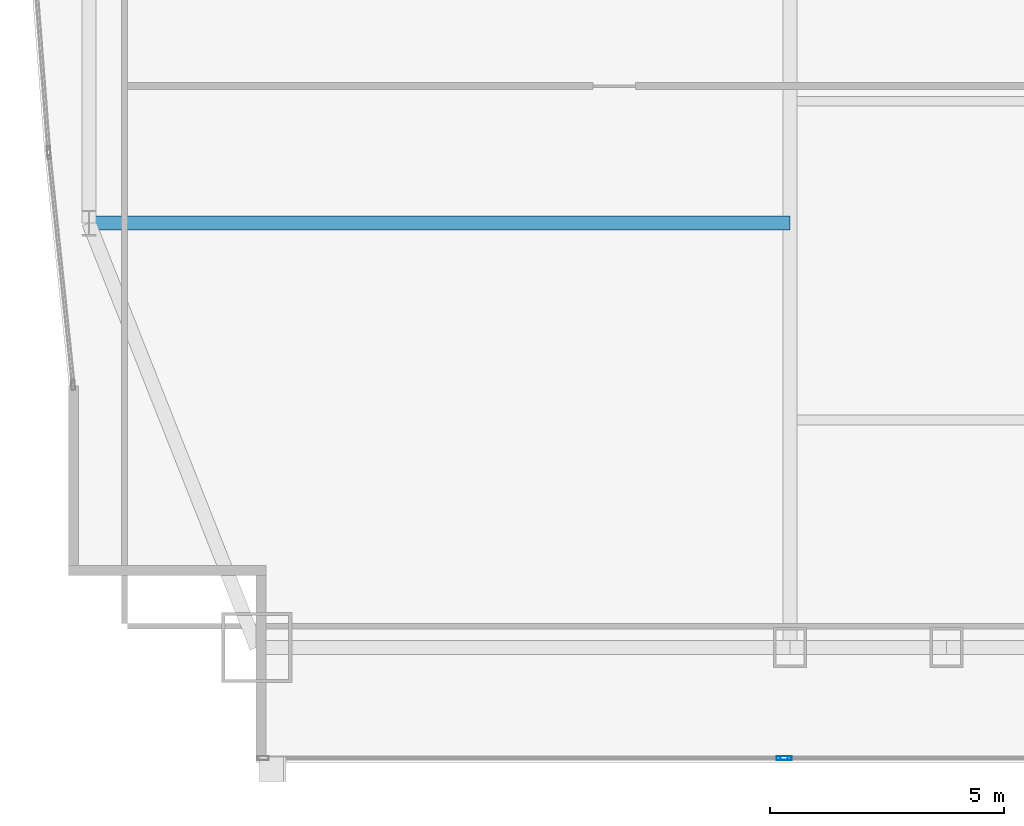
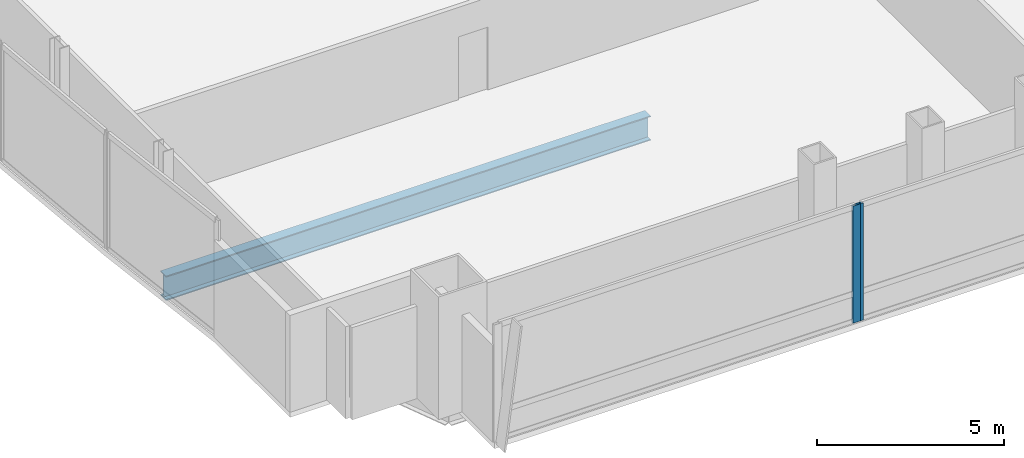
# One storey, part 7 of 30: 2 members, 1 beam, 2 elements without a shape of their own.
"""IFC4 building model written with IfcOpenShell, lengths in metres."""

from ifc_helpers import new_model, si_unit, direction, frame, origin, origin_2d, place, context, subcontext, project, spatial, hollow_rectangle, i_section, extrude, material, material_profile, profile_set, type_object, element, aggregate, save


model = new_model("IFC4")

# Units and contexts
model_context = context("Model", 3, precision=1e-05, world=origin(), true_north=direction((0.0, 1.0)))
body_context = subcontext(model_context, "Body", "Model", "MODEL_VIEW")
ifc_project = project(units=[si_unit("LENGTHUNIT", "METRE"), si_unit("AREAUNIT", "SQUARE_METRE"), si_unit("VOLUMEUNIT", "CUBIC_METRE"), si_unit("PLANEANGLEUNIT", "RADIAN"), si_unit("MASSUNIT", "GRAM", prefix="KILO")], contexts=[model_context])

# Site, building, storey
site_placement = place(None, origin())
site = spatial("IfcSite", under=ifc_project, at=site_placement, CompositionType="ELEMENT")
building_placement = place(site_placement, origin())
building = spatial("IfcBuilding", under=site, at=building_placement, Name="Khoronbel Lancet Exchange", CompositionType="ELEMENT")
storey_placement = place(building_placement, frame((0.0, 0.0, 98.60009765625)))
storey = spatial("IfcBuildingStorey", under=building, at=storey_placement, Name="L23", CompositionType="ELEMENT", Elevation=98.60009765625)

# Beam
ifc_material_1 = material(Name="Steel S355", Category="steel")
ifc_material_profile_1 = material_profile(ifc_material_1, i_section(OverallWidth=0.300048828125, OverallDepth=0.800048828125, WebThickness=0.017578125, FlangeThickness=0.032958984375, at=origin_2d()), Name="HEB 800")
ifc_profile_set_1 = profile_set([ifc_material_profile_1], Name="Steel S355")
beam_type = type_object("IfcBeamType", Name="BM-BG2", PredefinedType="BEAM", material=ifc_profile_set_1)
beam_placement = place(storey_placement, frame((3.27001953125, 19.199951171875, -0.580078125), z_axis=(1.0, 0.0, 0.0), x_axis=(0.0, 1.0, 0.0)))
element("IfcBeam", 1, at=beam_placement, inside=storey, type_object=beam_type, Name="Level L23 west lens tie girder LG1W", PredefinedType="BEAM", context=body_context, shape_type="SweptSolid", body=[
    extrude(i_section(OverallWidth=0.300048828125, OverallDepth=0.800048828125, WebThickness=0.017578125, FlangeThickness=0.032958984375, at=origin_2d()), origin(), (0.0, 0.0, 1.0), 14.955078125),
])

# Curtain wall, member
ifc_material_2 = material(Name="Low-E Solar Control Insulating Glass", Category="glass")
curtain_wall_type = type_object("IfcCurtainWallType", Name="CW-2", PredefinedType="NOTDEFINED", material=ifc_material_2)
curtain_wall_1_placement = place(storey_placement, origin())
curtain_wall_1 = element("IfcCurtainWall", 2, at=curtain_wall_1_placement, inside=storey, type_object=curtain_wall_type, Name="Unitised curtain wall CW-L23-SWV", PredefinedType="NOTDEFINED")
ifc_material_3 = material(Name="Bronze-Anodised Aluminium 6063-T6", Category="aluminium")
ifc_material_profile_2 = material_profile(ifc_material_3, hollow_rectangle(XDim=0.0849609375, YDim=0.239990234375, WallThickness=0.006103515625, at=origin_2d()), Name="ALU MULLION 85x240")
ifc_profile_set_2 = profile_set([ifc_material_profile_2], Name="Bronze-Anodised Aluminium 6063-T6")
member_type = type_object("IfcMemberType", Name="MEM-CWM1", PredefinedType="MULLION", material=ifc_profile_set_2)
member_1_placement = place(storey_placement, frame((18.0576171875, 7.7900390625, 0.0), z_axis=(0.0, 0.0, 1.0), x_axis=(0.0, 1.0, 0.0)))
member_1 = element("IfcMember", 3, at=member_1_placement, type_object=member_type, Name="CW2 mullion 2", PredefinedType="MULLION", context=body_context, shape_type="SweptSolid", body=[
    extrude(hollow_rectangle(XDim=0.0849609375, YDim=0.239990234375, WallThickness=0.006103515625, at=origin_2d()), origin(), (0.0, 0.0, 1.0), 3.81982421875),
])
aggregate(curtain_wall_1, [member_1])

curtain_wall_2_placement = place(storey_placement, origin())
curtain_wall_2 = element("IfcCurtainWall", 4, at=curtain_wall_2_placement, inside=storey, type_object=curtain_wall_type, Name="Unitised curtain wall CW-L23-SWB", PredefinedType="NOTDEFINED")
member_2_placement = place(storey_placement, frame((18.142578125, 7.7900390625, 0.0), z_axis=(0.0, 0.0, 1.0), x_axis=(0.0, 1.0, 0.0)))
member_2 = element("IfcMember", 5, at=member_2_placement, type_object=member_type, Name="CW2 mullion 1", PredefinedType="MULLION", context=body_context, shape_type="SweptSolid", body=[
    extrude(hollow_rectangle(XDim=0.0849609375, YDim=0.239990234375, WallThickness=0.006103515625, at=origin_2d()), origin(), (0.0, 0.0, 1.0), 3.81982421875),
])
aggregate(curtain_wall_2, [member_2])

save(model, "model.ifc")
